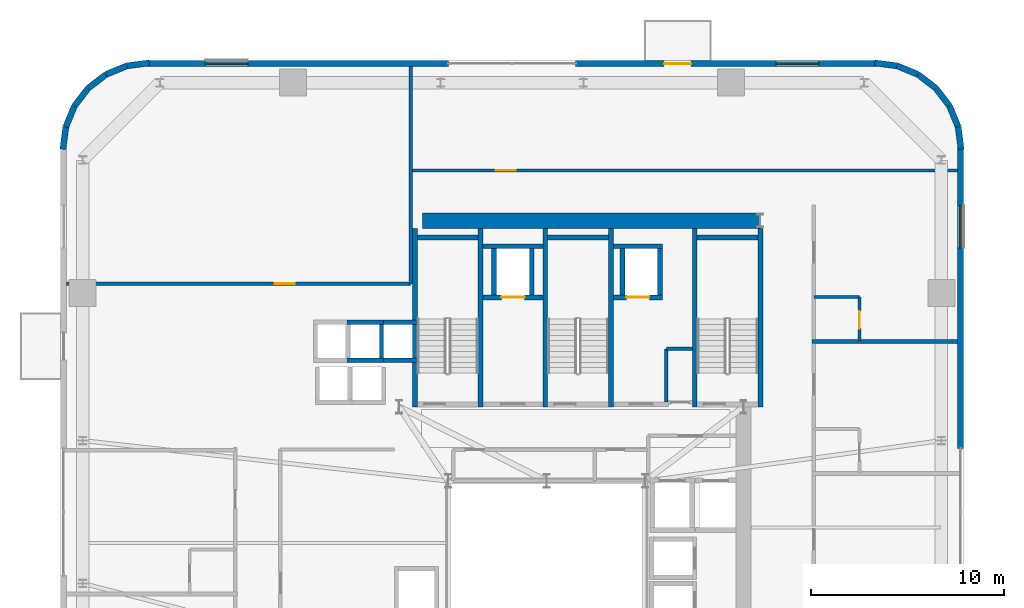
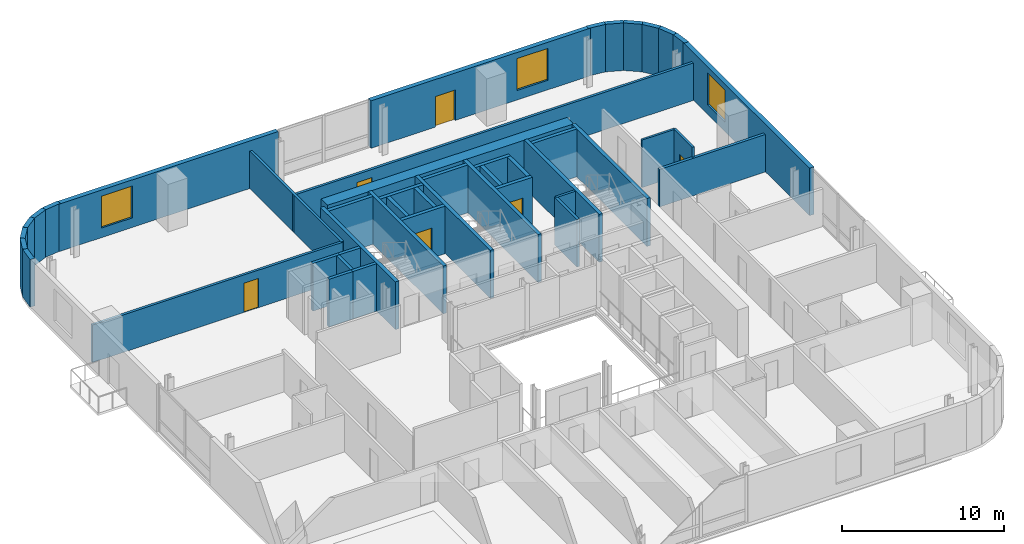
# One storey, part 10 of 14: 46 walls, 6 doors, 3 windows, 9 openings.
"""IFC4 building model written with IfcOpenShell, lengths in metres."""

from ifc_helpers import new_model, si_unit, direction, frame, frame_2d, origin, place, context, subcontext, project, spatial, rectangle, extrude, source, transform, mapped, material, layer, layer_set, type_object, element, fill, save


model = new_model("IFC4")

# Units and contexts
model_context = context("Model", 3, precision=1e-05, world=origin(), true_north=direction((0.0, 1.0)))
body_context = subcontext(model_context, "Body", "Model", "MODEL_VIEW")
ifc_project = project(units=[si_unit("LENGTHUNIT", "METRE"), si_unit("AREAUNIT", "SQUARE_METRE"), si_unit("VOLUMEUNIT", "CUBIC_METRE"), si_unit("PLANEANGLEUNIT", "RADIAN"), si_unit("MASSUNIT", "GRAM", prefix="KILO")], contexts=[model_context])

# Site, building, storey
site_placement = place(None, origin())
site = spatial("IfcSite", under=ifc_project, at=site_placement, CompositionType="ELEMENT")
building_placement = place(site_placement, origin())
building = spatial("IfcBuilding", under=site, at=building_placement, Name="Vardaveli Station Tower", CompositionType="ELEMENT")
storey_placement = place(building_placement, frame((0.0, 0.0, 177.199951171875)))
storey = spatial("IfcBuildingStorey", under=building, at=storey_placement, Name="L45", CompositionType="ELEMENT", Elevation=177.199951171875)

# Wall
ifc_material_1 = material(Name="Concrete C50/60", Category="concrete")
ifc_layer_1 = layer(ifc_material_1, 0.800048828125, Name="Concrete C50/60")
ifc_layer_set_1 = layer_set([ifc_layer_1], Name="Concrete C50/60")
wall_type_1 = type_object("IfcWallType", Name="WAL-CORE-800", PredefinedType="SHEAR", material=ifc_layer_set_1)
shared_shape_1 = source(origin(), body_context, "Body", "SweptSolid", [
    extrude(rectangle(XDim=17.52001953125, YDim=0.800048828125, at=frame_2d((8.760009765625, 0.0))), origin(), (0.0, 0.0, 1.0), 3.580078125),
])
wall_1_placement = place(storey_placement, frame((29.85009765625, 40.300048828125, 0.0), z_axis=(0.0, 0.0, 1.0), x_axis=(1.0, 0.0, 0.0)))
element("IfcWall", 1, at=wall_1_placement, inside=storey, type_object=wall_type_1, Name="SW-L45-NORTH", PredefinedType="SHEAR", context=body_context, shape_type="MappedRepresentation", body=[
    mapped(shared_shape_1, transform((0.0, 0.0, 0.0), scale=1.0)),
])

# Wall, openings, door, window
ifc_material_2 = material(Name="Precast concrete C45/55", Category="concrete")
ifc_layer_2 = layer(ifc_material_2, 0.320068359375, Name="Precast concrete C45/55")
ifc_layer_set_2 = layer_set([ifc_layer_2], Name="Precast concrete C45/55")
wall_type_2 = type_object("IfcWallType", Name="WAL-EXT-STONE-320", PredefinedType="SOLIDWALL", material=ifc_layer_set_2)
shared_shape_2 = source(origin(), body_context, "Body", "SweptSolid", [
    extrude(rectangle(XDim=15.599853515625, YDim=0.320068359375, at=frame_2d((7.7998046875, 0.0))), origin(), (0.0, 0.0, 1.0), 3.580078125),
])
wall_2_placement = place(storey_placement, frame((53.39990234375, 48.43994140625, 0.0), z_axis=(0.0, 0.0, 1.0), x_axis=(-1.0, 0.0, 0.0)))
wall_2 = element("IfcWall", 2, at=wall_2_placement, inside=storey, type_object=wall_type_2, Name="EW-L45-N1", PredefinedType="SOLIDWALL", context=body_context, shape_type="MappedRepresentation", body=[
    mapped(shared_shape_2, transform((0.0, 0.0, 0.0), scale=1.0)),
])
shared_shape_3 = source(origin(), body_context, "Body", "SweptSolid", [
    extrude(rectangle(XDim=1.39990234375, YDim=2.300048828125, at=frame_2d((0.699951171875, 1.14990234375))), frame((0.0, 0.169921875, 0.0), z_axis=(0.0, -1.0, 0.0), x_axis=(1.0, 0.0, 0.0)), (0.0, 0.0, 1.0), 0.340087890625),
])
opening_1_placement = place(wall_2_placement, frame((9.6103515625, 0.0, 0.0)))
opening_1 = element("IfcOpeningElement", 3, at=opening_1_placement, cuts=wall_2, Name="Opening D-09", PredefinedType="OPENING", context=body_context, shape_type="MappedRepresentation", body=[
    mapped(shared_shape_3, transform((0.0, 0.0, 0.0), scale=1.0)),
])
shared_shape_4 = source(origin(), body_context, "Body", "SweptSolid", [
    extrude(rectangle(XDim=2.199951171875, YDim=2.39990234375, at=frame_2d((1.10009765625, 1.199951171875))), frame((0.0, 0.169921875, 0.0), z_axis=(0.0, -1.0, 0.0), x_axis=(1.0, 0.0, 0.0)), (0.0, 0.0, 1.0), 0.340087890625),
])
opening_2_placement = place(wall_2_placement, frame((3.0048828125, 0.0, 0.719970703125)))
opening_2 = element("IfcOpeningElement", 4, at=opening_2_placement, cuts=wall_2, Name="Opening W-03", PredefinedType="OPENING", context=body_context, shape_type="MappedRepresentation", body=[
    mapped(shared_shape_4, transform((0.0, 0.0, 0.0), scale=1.0)),
])
ifc_material_3 = material(Name="Thermally broken aluminium glass", Category="aluminium")
door_type_1 = type_object("IfcDoorType", Name="DR-LOG-1400x2300", OperationType="DOUBLE_DOOR_SLIDING", PredefinedType="DOOR", material=ifc_material_3)
shared_shape_5 = source(origin(), body_context, "Body", "SweptSolid", [
    extrude(rectangle(XDim=1.39990234375, YDim=2.300048828125, at=frame_2d((0.699951171875, 1.14990234375))), frame((0.0, 0.02490234375, 0.0), z_axis=(0.0, -1.0, 0.0), x_axis=(1.0, 0.0, 0.0)), (0.0, 0.0, 1.0), 0.050048828125),
])
door_1_placement = place(opening_1_placement, frame((1.39990234375, 0.0, 0.0), z_axis=(0.0, 0.0, 1.0), x_axis=(-1.0, 0.0, 0.0)))
door_1 = element("IfcDoor", 5, at=door_1_placement, inside=storey, type_object=door_type_1, Name="DLG-L45-N", OperationType="DOUBLE_DOOR_SLIDING", OverallHeight=2.300048828125, OverallWidth=1.39990234375, PredefinedType="DOOR", context=body_context, shape_type="MappedRepresentation", body=[
    mapped(shared_shape_5, transform((0.0, 0.0, 0.0), scale=1.0)),
])
fill(opening_1, door_1)
ifc_material_4 = material(Name="Low-E solar-control glass", Category="glass")
window_type = type_object("IfcWindowType", Name="WIN-LOG-2200x2400", PartitioningType="SINGLE_PANEL", PredefinedType="WINDOW", material=ifc_material_4)
shared_shape_6 = source(origin(), body_context, "Body", "SweptSolid", [
    extrude(rectangle(XDim=2.199951171875, YDim=2.39990234375, at=frame_2d((1.10009765625, 1.199951171875))), frame((0.0, 0.030029296875, 0.0), z_axis=(0.0, -1.0, 0.0), x_axis=(1.0, 0.0, 0.0)), (0.0, 0.0, 1.0), 0.06005859375),
])
window_1_placement = place(opening_2_placement, origin())
window_1 = element("IfcWindow", 6, at=window_1_placement, inside=storey, type_object=window_type, Name="WN-L45-N1", OverallHeight=2.39990234375, OverallWidth=2.199951171875, PartitioningType="SINGLE_PANEL", PredefinedType="WINDOW", context=body_context, shape_type="MappedRepresentation", body=[
    mapped(shared_shape_6, transform((0.0, 0.0, 0.0), scale=1.0)),
])
fill(opening_2, window_1)

# Wall, opening, window
wall_3_placement = place(storey_placement, frame((31.199951171875, 48.43994140625, 0.0), z_axis=(0.0, 0.0, 1.0), x_axis=(-1.0, 0.0, 0.0)))
wall_3 = element("IfcWall", 7, at=wall_3_placement, inside=storey, type_object=wall_type_2, Name="EW-L45-N2", PredefinedType="SOLIDWALL", context=body_context, shape_type="MappedRepresentation", body=[
    mapped(shared_shape_2, transform((0.0, 0.0, 0.0), scale=1.0)),
])
opening_3_placement = place(wall_3_placement, frame((10.39501953125, 0.0, 0.719970703125)))
opening_3 = element("IfcOpeningElement", 8, at=opening_3_placement, cuts=wall_3, Name="Opening W-03", PredefinedType="OPENING", context=body_context, shape_type="MappedRepresentation", body=[
    mapped(shared_shape_4, transform((0.0, 0.0, 0.0), scale=1.0)),
])
window_2_placement = place(opening_3_placement, origin())
window_2 = element("IfcWindow", 9, at=window_2_placement, inside=storey, type_object=window_type, Name="WN-L45-N2", OverallHeight=2.39990234375, OverallWidth=2.199951171875, PartitioningType="SINGLE_PANEL", PredefinedType="WINDOW", context=body_context, shape_type="MappedRepresentation", body=[
    mapped(shared_shape_6, transform((0.0, 0.0, 0.0), scale=1.0)),
])
fill(opening_3, window_2)

shared_shape_7 = source(origin(), body_context, "Body", "SweptSolid", [
    extrude(rectangle(XDim=15.60009765625, YDim=0.320068359375, at=frame_2d((7.800048828125, 0.0))), origin(), (0.0, 0.0, 1.0), 3.580078125),
])
wall_4_placement = place(storey_placement, frame((57.739990234375, 28.5, 0.0), z_axis=(0.0, 0.0, 1.0), x_axis=(0.0, 1.0, 0.0)))
wall_4 = element("IfcWall", 10, at=wall_4_placement, inside=storey, type_object=wall_type_2, Name="EW-L45-E2", PredefinedType="SOLIDWALL", context=body_context, shape_type="MappedRepresentation", body=[
    mapped(shared_shape_7, transform((0.0, 0.0, 0.0), scale=1.0)),
])
opening_4_placement = place(wall_4_placement, frame((10.39501953125, 0.0, 0.719970703125)))
opening_4 = element("IfcOpeningElement", 11, at=opening_4_placement, cuts=wall_4, Name="Opening W-03", PredefinedType="OPENING", context=body_context, shape_type="MappedRepresentation", body=[
    mapped(shared_shape_4, transform((0.0, 0.0, 0.0), scale=1.0)),
])
window_3_placement = place(opening_4_placement, origin())
window_3 = element("IfcWindow", 12, at=window_3_placement, inside=storey, type_object=window_type, Name="WN-L45-E2", OverallHeight=2.39990234375, OverallWidth=2.199951171875, PartitioningType="SINGLE_PANEL", PredefinedType="WINDOW", context=body_context, shape_type="MappedRepresentation", body=[
    mapped(shared_shape_6, transform((0.0, 0.0, 0.0), scale=1.0)),
])
fill(opening_4, window_3)

# Walls
shared_shape_8 = source(origin(), body_context, "Body", "SweptSolid", [
    extrude(rectangle(XDim=1.1689453125, YDim=0.320068359375, at=frame_2d((0.58447265625, 0.0))), origin(), (0.0, 0.0, 1.0), 3.580078125),
])
for number, where, z_axis, x_axis, name in (
    (13, (57.179931640625, 46.2412109375, 0.0), (0.0, 0.0, 1.0), (-0.608387696831, 0.793639975269, 0.0), "EW-L45-CR3-3"),
    (14, (12.53125, 47.1689453125, 0.0), (0.0, 0.0, 1.0), (-0.608387696831, -0.793639975269, 0.0), "EW-L45-CR4-4"),
):
    element("IfcWall", number, at=place(storey_placement, frame(where, z_axis=z_axis, x_axis=x_axis)), inside=storey, type_object=wall_type_2, Name=name, PredefinedType="SOLIDWALL", context=body_context, shape_type="MappedRepresentation", body=[
        mapped(shared_shape_8, transform((0.0, 0.0, 0.0), scale=1.0)),
    ])
shared_shape_9 = source(origin(), body_context, "Body", "SweptSolid", [
    extrude(rectangle(XDim=1.168701171875, YDim=0.320068359375, at=frame_2d((0.58447265625, 0.0))), origin(), (0.0, 0.0, 1.0), 3.580078125),
])
for number, where, z_axis, x_axis, name in (
    (15, (56.46875, 47.1689453125, 0.0), (0.0, 0.0, 1.0), (-0.793663520347, 0.608356981114, 0.0), "EW-L45-CR3-4"),
    (16, (13.458740234375, 47.8798828125, 0.0), (0.0, 0.0, 1.0), (-0.793663520347, -0.608356981114, 0.0), "EW-L45-CR4-3"),
):
    element("IfcWall", number, at=place(storey_placement, frame(where, z_axis=z_axis, x_axis=x_axis)), inside=storey, type_object=wall_type_2, Name=name, PredefinedType="SOLIDWALL", context=body_context, shape_type="MappedRepresentation", body=[
        mapped(shared_shape_9, transform((0.0, 0.0, 0.0), scale=1.0)),
    ])
shared_shape_10 = source(origin(), body_context, "Body", "SweptSolid", [
    extrude(rectangle(XDim=1.17041015625, YDim=0.320068359375, at=frame_2d((0.585205078125, 0.0))), origin(), (0.0, 0.0, 1.0), 3.580078125),
])
for number, where, z_axis, x_axis, name in (
    (17, (57.775634765625, 43.99951171875, 0.0), (0.0, 0.0, 1.0), (-0.128295670475, 0.991735963317, 0.0), "EW-L45-CR3-1"),
    (18, (54.460205078125, 48.325439453125, 0.0), (0.0, 0.0, 1.0), (-0.991735963317, 0.128295670475, 0.0), "EW-L45-CR3-6"),
    (19, (15.700439453125, 48.4755859375, 0.0), (0.0, 0.0, 1.0), (-0.991735963317, -0.128295670475, 0.0), "EW-L45-CR4-1"),
    (20, (11.37451171875, 45.16015625, 0.0), (0.0, 0.0, 1.0), (-0.128295670475, -0.991735963317, 0.0), "EW-L45-CR4-6"),
):
    element("IfcWall", number, at=place(storey_placement, frame(where, z_axis=z_axis, x_axis=x_axis)), inside=storey, type_object=wall_type_2, Name=name, PredefinedType="SOLIDWALL", context=body_context, shape_type="MappedRepresentation", body=[
        mapped(shared_shape_10, transform((0.0, 0.0, 0.0), scale=1.0)),
    ])
shared_shape_11 = source(origin(), body_context, "Body", "SweptSolid", [
    extrude(rectangle(XDim=1.169189453125, YDim=0.320068359375, at=frame_2d((0.58447265625, 0.0))), origin(), (0.0, 0.0, 1.0), 3.580078125),
])
for number, where, z_axis, x_axis, name in (
    (21, (57.62548828125, 45.16015625, 0.0), (0.0, 0.0, 1.0), (-0.381054331552, 0.924552646638, 0.0), "EW-L45-CR3-2"),
    (22, (55.541259765625, 47.8798828125, 0.0), (0.0, 0.0, 1.0), (-0.924552646638, 0.381054331552, 0.0), "EW-L45-CR3-5"),
    (23, (14.539794921875, 48.325439453125, 0.0), (0.0, 0.0, 1.0), (-0.924552646638, -0.381054331552, 0.0), "EW-L45-CR4-2"),
    (24, (11.820068359375, 46.2412109375, 0.0), (0.0, 0.0, 1.0), (-0.381054331552, -0.924552646638, 0.0), "EW-L45-CR4-5"),
):
    element("IfcWall", number, at=place(storey_placement, frame(where, z_axis=z_axis, x_axis=x_axis)), inside=storey, type_object=wall_type_2, Name=name, PredefinedType="SOLIDWALL", context=body_context, shape_type="MappedRepresentation", body=[
        mapped(shared_shape_11, transform((0.0, 0.0, 0.0), scale=1.0)),
    ])
ifc_material_5 = material(Name="Concrete C40/50", Category="concrete")
ifc_layer_3 = layer(ifc_material_5, 0.25, Name="Concrete C40/50")
ifc_layer_set_3 = layer_set([ifc_layer_3], Name="Concrete C40/50")
wall_type_3 = type_object("IfcWallType", Name="WAL-SHAFT-250", PredefinedType="SOLIDWALL", material=ifc_layer_set_3)
shared_shape_12 = source(origin(), body_context, "Body", "SweptSolid", [
    extrude(rectangle(XDim=9.25, YDim=0.25, at=frame_2d((4.625, 0.0))), origin(), (0.0, 0.0, 1.0), 3.60009765625),
])
for number, where, z_axis, x_axis, name in (
    (25, (29.47509765625, 30.64990234375, 0.0), (0.0, 0.0, 1.0), (0.0, 1.0, 0.0), "W-L45-ST-1W"),
    (26, (32.875, 30.64990234375, 0.0), (0.0, 0.0, 1.0), (0.0, 1.0, 0.0), "W-L45-ST-1E"),
    (27, (36.22509765625, 30.64990234375, 0.0), (0.0, 0.0, 1.0), (0.0, 1.0, 0.0), "W-L45-ST-2W"),
    (28, (39.625, 30.64990234375, 0.0), (0.0, 0.0, 1.0), (0.0, 1.0, 0.0), "W-L45-ST-2E"),
    (29, (43.97509765625, 30.64990234375, 0.0), (0.0, 0.0, 1.0), (0.0, 1.0, 0.0), "W-L45-ST-3W"),
    (30, (47.375, 30.64990234375, 0.0), (0.0, 0.0, 1.0), (0.0, 1.0, 0.0), "W-L45-ST-3E"),
):
    element("IfcWall", number, at=place(storey_placement, frame(where, z_axis=z_axis, x_axis=x_axis)), inside=storey, type_object=wall_type_3, Name=name, PredefinedType="SOLIDWALL", context=body_context, shape_type="MappedRepresentation", body=[
        mapped(shared_shape_12, transform((0.0, 0.0, 0.0), scale=1.0)),
    ])
shared_shape_13 = source(origin(), body_context, "Body", "SweptSolid", [
    extrude(rectangle(XDim=3.14990234375, YDim=0.25, at=frame_2d((1.574951171875, 0.0))), origin(), (0.0, 0.0, 1.0), 3.60009765625),
])
for number, where, z_axis, x_axis, name in (
    (31, (29.60009765625, 39.425048828125, 0.0), (0.0, 0.0, 1.0), (1.0, 0.0, 0.0), "W-L45-ST-1N"),
    (32, (36.35009765625, 39.425048828125, 0.0), (0.0, 0.0, 1.0), (1.0, 0.0, 0.0), "W-L45-ST-2N"),
    (33, (44.10009765625, 39.425048828125, 0.0), (0.0, 0.0, 1.0), (1.0, 0.0, 0.0), "W-L45-ST-3N"),
):
    element("IfcWall", number, at=place(storey_placement, frame(where, z_axis=z_axis, x_axis=x_axis)), inside=storey, type_object=wall_type_3, Name=name, PredefinedType="SOLIDWALL", context=body_context, shape_type="MappedRepresentation", body=[
        mapped(shared_shape_13, transform((0.0, 0.0, 0.0), scale=1.0)),
    ])
ifc_layer_4 = layer(ifc_material_5, 0.219970703125, Name="Concrete C40/50")
ifc_layer_set_4 = layer_set([ifc_layer_4], Name="Concrete C40/50")
wall_type_4 = type_object("IfcWallType", Name="WAL-FFLOBBY-220", PredefinedType="SOLIDWALL", material=ifc_layer_set_4)
shared_shape_14 = source(origin(), body_context, "Body", "SweptSolid", [
    extrude(rectangle(XDim=1.889892578125, YDim=0.219970703125, at=frame_2d((0.94482421875, 0.0))), origin(), (0.0, 0.0, 1.0), 3.580078125),
])
for number, where, z_axis, x_axis, name in (
    (34, (25.955078125, 33.06494140625, 0.0), (0.0, 0.0, 1.0), (1.0, 0.0, 0.0), "SHW-HL2-02-L45-S"),
    (35, (25.955078125, 35.034912109375, 0.0), (0.0, 0.0, 1.0), (1.0, 0.0, 0.0), "SHW-HL2-02-L45-N"),
    (36, (27.655029296875, 33.06494140625, 0.0), (0.0, 0.0, 1.0), (1.0, 0.0, 0.0), "SHW-HL2-03-L45-S"),
    (37, (27.655029296875, 35.034912109375, 0.0), (0.0, 0.0, 1.0), (1.0, 0.0, 0.0), "SHW-HL2-03-L45-N"),
):
    element("IfcWall", number, at=place(storey_placement, frame(where, z_axis=z_axis, x_axis=x_axis)), inside=storey, type_object=wall_type_4, Name=name, PredefinedType="SOLIDWALL", context=body_context, shape_type="MappedRepresentation", body=[
        mapped(shared_shape_14, transform((0.0, 0.0, 0.0), scale=1.0)),
    ])
shared_shape_15 = source(origin(), body_context, "Body", "SweptSolid", [
    extrude(rectangle(XDim=1.75, YDim=0.219970703125, at=frame_2d((0.875, 0.0))), origin(), (0.0, 0.0, 1.0), 3.580078125),
])
wall_5_placement = place(storey_placement, frame((27.735107421875, 33.175048828125, 0.0), z_axis=(0.0, 0.0, 1.0), x_axis=(0.0, 1.0, 0.0)))
element("IfcWall", 38, at=wall_5_placement, inside=storey, type_object=wall_type_4, Name="SHW-HL2-02-L45-E", PredefinedType="SOLIDWALL", context=body_context, shape_type="MappedRepresentation", body=[
    mapped(shared_shape_15, transform((0.0, 0.0, 0.0), scale=1.0)),
])

# Wall, opening, door
shared_shape_16 = source(origin(), body_context, "Body", "SweptSolid", [
    extrude(rectangle(XDim=3.10009765625, YDim=0.25, at=frame_2d((1.550048828125, 0.0))), origin(), (0.0, 0.0, 1.0), 3.580078125),
])
wall_6_placement = place(storey_placement, frame((33.0, 36.324951171875, 0.0), z_axis=(0.0, 0.0, 1.0), x_axis=(1.0, 0.0, 0.0)))
wall_6 = element("IfcWall", 39, at=wall_6_placement, inside=storey, type_object=wall_type_3, Name="SHW-FFL-01-L45-S", PredefinedType="SOLIDWALL", context=body_context, shape_type="MappedRepresentation", body=[
    mapped(shared_shape_16, transform((0.0, 0.0, 0.0), scale=1.0)),
])
shared_shape_17 = source(origin(), body_context, "Body", "SweptSolid", [
    extrude(rectangle(XDim=1.199951171875, YDim=2.25, at=frame_2d((0.60009765625, 1.125))), frame((0.0, 0.135009765625, 0.0), z_axis=(0.0, -1.0, 0.0), x_axis=(1.0, 0.0, 0.0)), (0.0, 0.0, 1.0), 0.27001953125),
])
opening_5_placement = place(wall_6_placement, frame((0.949951171875, 0.0, 0.0)))
opening_5 = element("IfcOpeningElement", 40, at=opening_5_placement, cuts=wall_6, Name="Opening LD-02", PredefinedType="OPENING", context=body_context, shape_type="MappedRepresentation", body=[
    mapped(shared_shape_17, transform((0.0, 0.0, 0.0), scale=1.0)),
])
ifc_material_6 = material(Name="Brushed stainless steel", Category="steel")
door_type_2 = type_object("IfcDoorType", Name="DR-LD-1200x2250", OperationType="DOUBLE_DOOR_SLIDING", PredefinedType="DOOR", material=ifc_material_6)
shared_shape_18 = source(origin(), body_context, "Body", "SweptSolid", [
    extrude(rectangle(XDim=1.199951171875, YDim=2.25, at=frame_2d((0.60009765625, 1.125))), frame((0.0, 0.02490234375, 0.0), z_axis=(0.0, -1.0, 0.0), x_axis=(1.0, 0.0, 0.0)), (0.0, 0.0, 1.0), 0.050048828125),
])
door_2_placement = place(opening_5_placement, origin())
door_2 = element("IfcDoor", 41, at=door_2_placement, inside=storey, type_object=door_type_2, Name="LD-FFL-01-L45", OperationType="DOUBLE_DOOR_SLIDING", OverallHeight=2.25, OverallWidth=1.199951171875, PredefinedType="DOOR", context=body_context, shape_type="MappedRepresentation", body=[
    mapped(shared_shape_18, transform((0.0, 0.0, 0.0), scale=1.0)),
])
fill(opening_5, door_2)

# Walls
wall_7_placement = place(storey_placement, frame((33.0, 38.97509765625, 0.0), z_axis=(0.0, 0.0, 1.0), x_axis=(1.0, 0.0, 0.0)))
element("IfcWall", 42, at=wall_7_placement, inside=storey, type_object=wall_type_3, Name="SHW-FFL-01-L45-N", PredefinedType="SOLIDWALL", context=body_context, shape_type="MappedRepresentation", body=[
    mapped(shared_shape_16, transform((0.0, 0.0, 0.0), scale=1.0)),
])
shared_shape_19 = source(origin(), body_context, "Body", "SweptSolid", [
    extrude(rectangle(XDim=2.400146484375, YDim=0.25, at=frame_2d((1.2001953125, 0.0))), origin(), (0.0, 0.0, 1.0), 3.580078125),
])
for number, where, z_axis, x_axis, name in (
    (43, (33.574951171875, 36.449951171875, 0.0), (0.0, 0.0, 1.0), (0.0, 1.0, 0.0), "SHW-FFL-01-L45-W"),
    (44, (35.52490234375, 36.449951171875, 0.0), (0.0, 0.0, 1.0), (0.0, 1.0, 0.0), "SHW-FFL-01-L45-E"),
    (45, (40.22509765625, 36.449951171875, 0.0), (0.0, 0.0, 1.0), (0.0, 1.0, 0.0), "SHW-FFL-02-L45-W"),
    (46, (42.175048828125, 36.449951171875, 0.0), (0.0, 0.0, 1.0), (0.0, 1.0, 0.0), "SHW-FFL-02-L45-E"),
):
    element("IfcWall", number, at=place(storey_placement, frame(where, z_axis=z_axis, x_axis=x_axis)), inside=storey, type_object=wall_type_3, Name=name, PredefinedType="SOLIDWALL", context=body_context, shape_type="MappedRepresentation", body=[
        mapped(shared_shape_19, transform((0.0, 0.0, 0.0), scale=1.0)),
    ])

# Wall, opening, door
shared_shape_20 = source(origin(), body_context, "Body", "SweptSolid", [
    extrude(rectangle(XDim=2.550048828125, YDim=0.25, at=frame_2d((1.27490234375, 0.0))), origin(), (0.0, 0.0, 1.0), 3.580078125),
])
wall_8_placement = place(storey_placement, frame((39.75, 36.324951171875, 0.0), z_axis=(0.0, 0.0, 1.0), x_axis=(1.0, 0.0, 0.0)))
wall_8 = element("IfcWall", 47, at=wall_8_placement, inside=storey, type_object=wall_type_3, Name="SHW-FFL-02-L45-S", PredefinedType="SOLIDWALL", context=body_context, shape_type="MappedRepresentation", body=[
    mapped(shared_shape_20, transform((0.0, 0.0, 0.0), scale=1.0)),
])
opening_6_placement = place(wall_8_placement, frame((0.675048828125, 0.0, 0.0)))
opening_6 = element("IfcOpeningElement", 48, at=opening_6_placement, cuts=wall_8, Name="Opening LD-02", PredefinedType="OPENING", context=body_context, shape_type="MappedRepresentation", body=[
    mapped(shared_shape_17, transform((0.0, 0.0, 0.0), scale=1.0)),
])
door_3_placement = place(opening_6_placement, origin())
door_3 = element("IfcDoor", 49, at=door_3_placement, inside=storey, type_object=door_type_2, Name="LD-FFL-02-L45", OperationType="DOUBLE_DOOR_SLIDING", OverallHeight=2.25, OverallWidth=1.199951171875, PredefinedType="DOOR", context=body_context, shape_type="MappedRepresentation", body=[
    mapped(shared_shape_18, transform((0.0, 0.0, 0.0), scale=1.0)),
])
fill(opening_6, door_3)

# Wall
wall_9_placement = place(storey_placement, frame((39.75, 38.97509765625, 0.0), z_axis=(0.0, 0.0, 1.0), x_axis=(1.0, 0.0, 0.0)))
element("IfcWall", 50, at=wall_9_placement, inside=storey, type_object=wall_type_3, Name="SHW-FFL-02-L45-N", PredefinedType="SOLIDWALL", context=body_context, shape_type="MappedRepresentation", body=[
    mapped(shared_shape_20, transform((0.0, 0.0, 0.0), scale=1.0)),
])

# Wall, opening, door
ifc_material_7 = material(Name="Fire-rated gypsum stud partition")
ifc_layer_5 = layer(ifc_material_7, 0.179931640625, Name="Fire-rated gypsum stud partition")
ifc_layer_set_5 = layer_set([ifc_layer_5], Name="Fire-rated gypsum stud partition")
wall_type_5 = type_object("IfcWallType", Name="WAL-CORR-180", PredefinedType="PARTITIONING", material=ifc_layer_set_5)
shared_shape_21 = source(origin(), body_context, "Body", "SweptSolid", [
    extrude(rectangle(XDim=28.427978515625, YDim=0.179931640625, at=frame_2d((14.2138671875, 0.0))), origin(), (0.0, 0.0, 1.0), 2.822021484375),
])
wall_10_placement = place(storey_placement, frame((29.14990234375, 42.89990234375, 0.0), z_axis=(0.0, 0.0, 1.0), x_axis=(1.0, 0.0, 0.0)))
wall_10 = element("IfcWall", 51, at=wall_10_placement, inside=storey, type_object=wall_type_5, Name="W-L45-NPS", PredefinedType="PARTITIONING", context=body_context, shape_type="MappedRepresentation", body=[
    mapped(shared_shape_21, transform((0.0, 0.0, 0.0), scale=1.0)),
])
shared_shape_22 = source(origin(), body_context, "Body", "SweptSolid", [
    extrude(rectangle(XDim=1.050048828125, YDim=2.199951171875, at=frame_2d((0.52490234375, 1.10009765625))), frame((0.0, 0.10009765625, 0.0), z_axis=(0.0, -1.0, 0.0), x_axis=(1.0, 0.0, 0.0)), (0.0, 0.0, 1.0), 0.199951171875),
])
opening_7_placement = place(wall_10_placement, frame((4.5, 0.0, 0.0)))
opening_7 = element("IfcOpeningElement", 52, at=opening_7_placement, cuts=wall_10, Name="Opening D-05", PredefinedType="OPENING", context=body_context, shape_type="MappedRepresentation", body=[
    mapped(shared_shape_22, transform((0.0, 0.0, 0.0), scale=1.0)),
])
ifc_material_8 = material(Name="Walnut veneer acoustic fire door")
door_type_3 = type_object("IfcDoorType", Name="DR-SUITE-1050x2200", OperationType="NOTDEFINED", PredefinedType="DOOR", material=ifc_material_8)
shared_shape_23 = source(origin(), body_context, "Body", "SweptSolid", [
    extrude(rectangle(XDim=1.050048828125, YDim=2.199951171875, at=frame_2d((0.52490234375, 1.10009765625))), frame((0.0, 0.02490234375, 0.0), z_axis=(0.0, -1.0, 0.0), x_axis=(1.0, 0.0, 0.0)), (0.0, 0.0, 1.0), 0.050048828125),
])
door_4_placement = place(opening_7_placement, origin())
door_4 = element("IfcDoor", 53, at=door_4_placement, inside=storey, type_object=door_type_3, Name="D-L45-NP1", OperationType="SINGLE_SWING_LEFT", OverallHeight=2.199951171875, OverallWidth=1.050048828125, PredefinedType="DOOR", context=body_context, shape_type="MappedRepresentation", body=[
    mapped(shared_shape_23, transform((0.0, 0.0, 0.0), scale=1.0)),
])
fill(opening_7, door_4)

shared_shape_24 = source(origin(), body_context, "Body", "SweptSolid", [
    extrude(rectangle(XDim=17.827880859375, YDim=0.179931640625, at=frame_2d((8.9140625, 0.0))), origin(), (0.0, 0.0, 1.0), 2.822021484375),
])
wall_11_placement = place(storey_placement, frame((11.422119140625, 37.02001953125, 0.0), z_axis=(0.0, 0.0, 1.0), x_axis=(1.0, 0.0, 0.0)))
wall_11 = element("IfcWall", 54, at=wall_11_placement, inside=storey, type_object=wall_type_5, Name="W-L45-CNWS", PredefinedType="PARTITIONING", context=body_context, shape_type="MappedRepresentation", body=[
    mapped(shared_shape_24, transform((0.0, 0.0, 0.0), scale=1.0)),
])
opening_8_placement = place(wall_11_placement, frame((10.778076171875, 0.0, 0.0)))
opening_8 = element("IfcOpeningElement", 55, at=opening_8_placement, cuts=wall_11, Name="Opening D-05", PredefinedType="OPENING", context=body_context, shape_type="MappedRepresentation", body=[
    mapped(shared_shape_22, transform((0.0, 0.0, 0.0), scale=1.0)),
])
door_5_placement = place(opening_8_placement, origin())
door_5 = element("IfcDoor", 56, at=door_5_placement, inside=storey, type_object=door_type_3, Name="D-L45-GNW1", OperationType="SINGLE_SWING_RIGHT", OverallHeight=2.199951171875, OverallWidth=1.050048828125, PredefinedType="DOOR", context=body_context, shape_type="MappedRepresentation", body=[
    mapped(shared_shape_23, transform((0.0, 0.0, 0.0), scale=1.0)),
])
fill(opening_8, door_5)

ifc_material_9 = material(Name="Moisture-resistant stud partition")
ifc_layer_6 = layer(ifc_material_9, 0.14990234375, Name="Moisture-resistant stud partition")
ifc_layer_set_6 = layer_set([ifc_layer_6], Name="Moisture-resistant stud partition")
wall_type_6 = type_object("IfcWallType", Name="WAL-WET-150", PredefinedType="PARTITIONING", material=ifc_layer_set_6)
shared_shape_25 = source(origin(), body_context, "Body", "SweptSolid", [
    extrude(rectangle(XDim=2.289794921875, YDim=0.14990234375, at=frame_2d((1.14501953125, 0.0))), origin(), (0.0, 0.0, 1.0), 3.580078125),
])
wall_12_placement = place(storey_placement, frame((52.510009765625, 34.05810546875, 0.0), z_axis=(0.0, 0.0, 1.0), x_axis=(0.0, 1.0, 0.0)))
wall_12 = element("IfcWall", 57, at=wall_12_placement, inside=storey, type_object=wall_type_6, Name="W-L45-BE4-E", PredefinedType="PARTITIONING", context=body_context, shape_type="MappedRepresentation", body=[
    mapped(shared_shape_25, transform((0.0, 0.0, 0.0), scale=1.0)),
])
shared_shape_26 = source(origin(), body_context, "Body", "SweptSolid", [
    extrude(rectangle(XDim=0.89990234375, YDim=2.10009765625, at=frame_2d((0.449951171875, 1.050048828125))), frame((0.0, 0.0849609375, 0.0), z_axis=(0.0, -1.0, 0.0), x_axis=(1.0, 0.0, 0.0)), (0.0, 0.0, 1.0), 0.169921875),
])
opening_9_placement = place(wall_12_placement, frame((0.64990234375, 0.0, 0.0)))
opening_9 = element("IfcOpeningElement", 58, at=opening_9_placement, cuts=wall_12, Name="Opening D-08", PredefinedType="OPENING", context=body_context, shape_type="MappedRepresentation", body=[
    mapped(shared_shape_26, transform((0.0, 0.0, 0.0), scale=1.0)),
])
ifc_material_10 = material(Name="Moisture-resistant oak door")
door_type_4 = type_object("IfcDoorType", Name="DR-BATH-900x2100", OperationType="NOTDEFINED", PredefinedType="DOOR", material=ifc_material_10)
shared_shape_27 = source(origin(), body_context, "Body", "SweptSolid", [
    extrude(rectangle(XDim=0.89990234375, YDim=2.10009765625, at=frame_2d((0.449951171875, 1.050048828125))), frame((0.0, 0.02490234375, 0.0), z_axis=(0.0, -1.0, 0.0), x_axis=(1.0, 0.0, 0.0)), (0.0, 0.0, 1.0), 0.050048828125),
])
door_6_placement = place(opening_9_placement, origin())
door_6 = element("IfcDoor", 59, at=door_6_placement, inside=storey, type_object=door_type_4, Name="D-L45-BE4", OperationType="SINGLE_SWING_RIGHT", OverallHeight=2.10009765625, OverallWidth=0.89990234375, PredefinedType="DOOR", context=body_context, shape_type="MappedRepresentation", body=[
    mapped(shared_shape_27, transform((0.0, 0.0, 0.0), scale=1.0)),
])
fill(opening_9, door_6)

# Walls
shared_shape_28 = source(origin(), body_context, "Body", "SweptSolid", [
    extrude(rectangle(XDim=11.258056640625, YDim=0.179931640625, at=frame_2d((5.62890625, 0.0))), origin(), (0.0, 0.0, 1.0), 2.822021484375),
])
wall_13_placement = place(storey_placement, frame((29.25, 37.02001953125, 0.0), z_axis=(0.0, 0.0, 1.0), x_axis=(0.0, 1.0, 0.0)))
element("IfcWall", 60, at=wall_13_placement, inside=storey, type_object=wall_type_5, Name="W-L45-CNWE", PredefinedType="PARTITIONING", context=body_context, shape_type="MappedRepresentation", body=[
    mapped(shared_shape_28, transform((0.0, 0.0, 0.0), scale=1.0)),
])
ifc_material_11 = material(Name="Acoustic twin-stud gypsum partition")
ifc_layer_7 = layer(ifc_material_11, 0.199951171875, Name="Acoustic twin-stud gypsum partition")
ifc_layer_set_7 = layer_set([ifc_layer_7], Name="Acoustic twin-stud gypsum partition")
wall_type_7 = type_object("IfcWallType", Name="WAL-PARTY-200", PredefinedType="PARTITIONING", material=ifc_layer_set_7)
shared_shape_29 = source(origin(), body_context, "Body", "SweptSolid", [
    extrude(rectangle(XDim=7.52783203125, YDim=0.199951171875, at=frame_2d((3.763916015625, 0.0))), origin(), (0.0, 0.0, 1.0), 2.822021484375),
])
wall_14_placement = place(storey_placement, frame((50.050048828125, 34.0380859375, 0.0), z_axis=(0.0, 0.0, 1.0), x_axis=(1.0, 0.0, 0.0)))
element("IfcWall", 61, at=wall_14_placement, inside=storey, type_object=wall_type_7, Name="W-L45-PE3", PredefinedType="PARTITIONING", context=body_context, shape_type="MappedRepresentation", body=[
    mapped(shared_shape_29, transform((0.0, 0.0, 0.0), scale=1.0)),
])
shared_shape_30 = source(origin(), body_context, "Body", "SweptSolid", [
    extrude(rectangle(XDim=2.7578125, YDim=0.179931640625, at=frame_2d((1.37890625, 0.0))), origin(), (0.0, 0.0, 1.0), 3.580078125),
])
wall_15_placement = place(storey_placement, frame((42.5, 30.89208984375, 0.0), z_axis=(0.0, 0.0, 1.0), x_axis=(0.0, 1.0, 0.0)))
element("IfcWall", 62, at=wall_15_placement, inside=storey, type_object=wall_type_5, Name="W-L45-CBS0-W", PredefinedType="PARTITIONING", context=body_context, shape_type="MappedRepresentation", body=[
    mapped(shared_shape_30, transform((0.0, 0.0, 0.0), scale=1.0)),
])
shared_shape_31 = source(origin(), body_context, "Body", "SweptSolid", [
    extrude(rectangle(XDim=2.360107421875, YDim=0.14990234375, at=frame_2d((1.18017578125, 0.0))), origin(), (0.0, 0.0, 1.0), 3.580078125),
])
wall_16_placement = place(storey_placement, frame((50.14990234375, 36.347900390625, 0.0), z_axis=(0.0, 0.0, 1.0), x_axis=(1.0, 0.0, 0.0)))
element("IfcWall", 63, at=wall_16_placement, inside=storey, type_object=wall_type_6, Name="W-L45-BE4-N", PredefinedType="PARTITIONING", context=body_context, shape_type="MappedRepresentation", body=[
    mapped(shared_shape_31, transform((0.0, 0.0, 0.0), scale=1.0)),
])
shared_shape_32 = source(origin(), body_context, "Body", "SweptSolid", [
    extrude(rectangle(XDim=1.347900390625, YDim=0.179931640625, at=frame_2d((0.673828125, 0.0))), origin(), (0.0, 0.0, 1.0), 3.580078125),
])
wall_17_placement = place(storey_placement, frame((42.5, 33.64990234375, 0.0), z_axis=(0.0, 0.0, 1.0), x_axis=(1.0, 0.0, 0.0)))
element("IfcWall", 64, at=wall_17_placement, inside=storey, type_object=wall_type_5, Name="W-L45-CBS0-N", PredefinedType="PARTITIONING", context=body_context, shape_type="MappedRepresentation", body=[
    mapped(shared_shape_32, transform((0.0, 0.0, 0.0), scale=1.0)),
])

save(model, "model.ifc")
